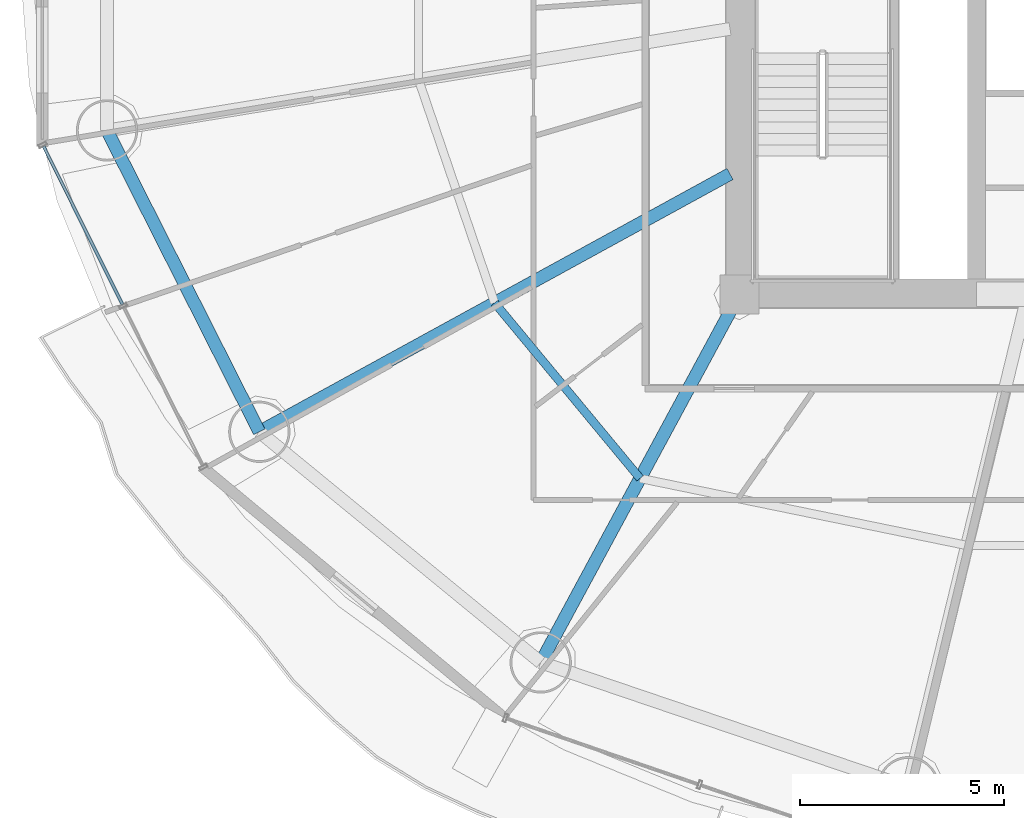
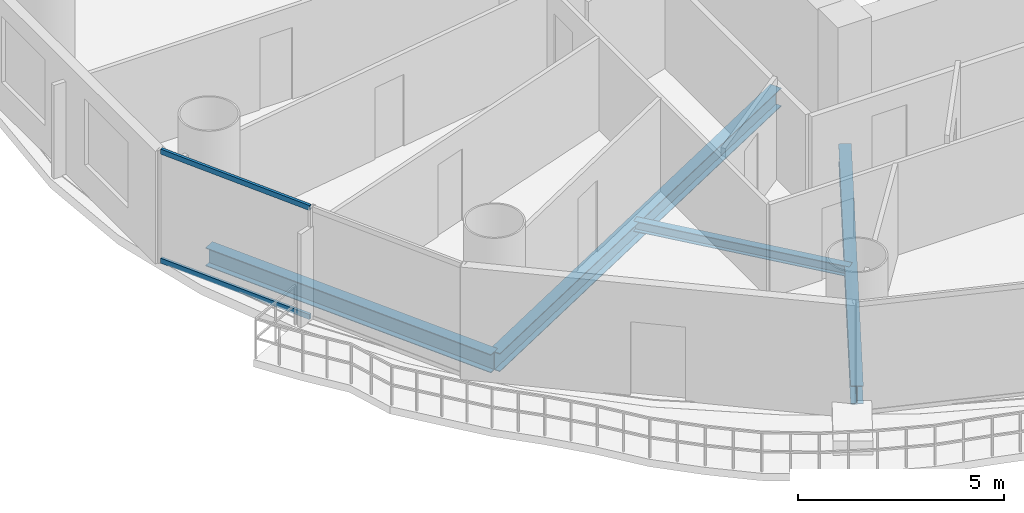
# One storey, part 3 of 29: 4 beams, 2 members, 1 element without a shape of its own.
"""IFC4 building model written with IfcOpenShell, lengths in metres."""

from ifc_helpers import new_model, si_unit, direction, frame, origin, origin_2d, place, context, subcontext, project, spatial, hollow_rectangle, i_section, extrude, source, transform, mapped, material, material_profile, profile_set, type_object, element, aggregate, save


model = new_model("IFC4")

# Units and contexts
model_context = context("Model", 3, precision=1e-05, world=origin(), true_north=direction((-0.2419218956, 0.970295726276)))
body_context = subcontext(model_context, "Body", "Model", "MODEL_VIEW")
ifc_project = project(units=[si_unit("LENGTHUNIT", "METRE"), si_unit("AREAUNIT", "SQUARE_METRE"), si_unit("VOLUMEUNIT", "CUBIC_METRE"), si_unit("PLANEANGLEUNIT", "RADIAN"), si_unit("MASSUNIT", "GRAM", prefix="KILO")], contexts=[model_context])

# Site, building, storey
site_placement = place(None, origin())
site = spatial("IfcSite", under=ifc_project, at=site_placement, CompositionType="ELEMENT")
building_placement = place(site_placement, origin())
building = spatial("IfcBuilding", under=site, at=building_placement, Name="Cobrevalo Terracotta Tower", CompositionType="ELEMENT")
storey_placement = place(building_placement, frame((0.0, 0.0, 90.60009765625)))
storey = spatial("IfcBuildingStorey", under=building, at=storey_placement, Name="L23", CompositionType="ELEMENT", Elevation=90.60009765625)

# Beams
ifc_material_1 = material(Name="Steel S355", Category="steel")
ifc_material_profile_1 = material_profile(ifc_material_1, i_section(OverallWidth=0.31201171875, OverallDepth=0.54296875, WebThickness=0.0126953125, FlangeThickness=0.020263671875, at=origin_2d()), Name="W 530x150")
ifc_profile_set_1 = profile_set([ifc_material_profile_1], Name="Steel S355")
beam_type_1 = type_object("IfcBeamType", Name="Structural Beam W 530x150 (Steel S355)", PredefinedType="BEAM", material=ifc_profile_set_1)
beam_1_placement = place(storey_placement, frame((17.2548828125, 15.4384765625, -0.546630859375), z_axis=(0.877072765004, 0.480357538599, 0.0), x_axis=(-0.480357538599, 0.877072765004, 0.0)))
element("IfcBeam", 1, at=beam_1_placement, inside=storey, type_object=beam_type_1, Name="L23 radial floor girder 10", PredefinedType="BEAM", context=body_context, shape_type="SweptSolid", body=[
    extrude(i_section(OverallWidth=0.31201171875, OverallDepth=0.54296875, WebThickness=0.0126953125, FlangeThickness=0.020263671875, at=origin_2d()), origin(), (0.0, 0.0, 1.0), 13.129150390625),
])
beam_2_placement = place(storey_placement, frame((24.138427734375, 9.79638671875, -0.546630859375), z_axis=(0.475118249298, 0.879921956303, 0.0), x_axis=(-0.879921956303, 0.475118249298, 0.0)))
element("IfcBeam", 2, at=beam_2_placement, inside=storey, type_object=beam_type_1, Name="L23 radial floor girder 11", PredefinedType="BEAM", context=body_context, shape_type="SweptSolid", body=[
    extrude(i_section(OverallWidth=0.31201171875, OverallDepth=0.54296875, WebThickness=0.0126953125, FlangeThickness=0.020263671875, at=origin_2d()), origin(), (0.0, 0.0, 1.0), 10.232421875),
])
ifc_material_profile_2 = material_profile(ifc_material_1, i_section(OverallWidth=0.2041015625, OverallDepth=0.305908203125, WebThickness=0.008544921875, FlangeThickness=0.0146484375, at=origin_2d()), Name="W 310x67")
ifc_profile_set_2 = profile_set([ifc_material_profile_2], Name="Steel S355")
beam_type_2 = type_object("IfcBeamType", Name="Structural Joist W 310x67 (Steel S355)", PredefinedType="JOIST", material=ifc_profile_set_2)
beam_3_placement = place(storey_placement, frame((23.012451171875, 18.591796875, -0.427978515625), z_axis=(0.6379592588, -0.77007011636, 0.0), x_axis=(0.77007011636, 0.6379592588, 0.0)))
element("IfcBeam", 3, at=beam_3_placement, inside=storey, type_object=beam_type_2, Name="L23 circumferential secondary floor joist 10", PredefinedType="JOIST", context=body_context, shape_type="SweptSolid", body=[
    extrude(i_section(OverallWidth=0.2041015625, OverallDepth=0.305908203125, WebThickness=0.008544921875, FlangeThickness=0.0146484375, at=origin_2d()), origin(), (0.0, 0.0, 1.0), 5.575439453125),
])
ifc_material_profile_3 = material_profile(ifc_material_1, i_section(OverallWidth=0.31201171875, OverallDepth=0.54296875, WebThickness=0.0126953125, FlangeThickness=0.020263671875, at=origin_2d()), Name="W 530x150")
ifc_profile_set_3 = profile_set([ifc_material_profile_3], Name="Steel S355")
beam_type_3 = type_object("IfcBeamType", Name="Structural Spandrel W 530x150 (Steel S355)", PredefinedType="SPANDREL", material=ifc_profile_set_3)
beam_4_placement = place(storey_placement, frame((13.529296875, 22.810302734375, -0.546630859375), z_axis=(0.451051982172, -0.892497680321, 0.0), x_axis=(0.892497680321, 0.451051982172, 0.0)))
element("IfcBeam", 4, at=beam_4_placement, inside=storey, type_object=beam_type_3, Name="L23 perimeter ring spandrel 09", PredefinedType="SPANDREL", context=body_context, shape_type="SweptSolid", body=[
    extrude(i_section(OverallWidth=0.31201171875, OverallDepth=0.54296875, WebThickness=0.0126953125, FlangeThickness=0.020263671875, at=origin_2d()), origin(), (0.0, 0.0, 1.0), 8.259765625),
])

# Curtain wall, members
ifc_material_2 = material(Name="Anodized aluminium", Category="aluminium")
curtain_wall_type = type_object("IfcCurtainWallType", Name="Lower-tower unitised acoustic low-E curtain wall CW-U1", PredefinedType="NOTDEFINED", material=ifc_material_2)
curtain_wall_placement = place(storey_placement, origin())
curtain_wall = element("IfcCurtainWall", 5, at=curtain_wall_placement, inside=storey, type_object=curtain_wall_type, Name="L23 curtain wall CW-L23-S09", PredefinedType="NOTDEFINED")
ifc_material_profile_4 = material_profile(ifc_material_2, hollow_rectangle(XDim=0.074951171875, YDim=0.14990234375, WallThickness=0.00439453125, at=origin_2d()), Name="CWT 75x150")
ifc_profile_set_4 = profile_set([ifc_material_profile_4], Name="Anodized aluminium")
member_type = type_object("IfcMemberType", Name="Tower unitised aluminium transom 75x150", PredefinedType="USERDEFINED", material=ifc_profile_set_4)
shared_shape = source(origin(), body_context, "Body", "SweptSolid", [
    extrude(hollow_rectangle(XDim=0.074951171875, YDim=0.14990234375, WallThickness=0.00439453125, at=origin_2d()), origin(), (0.0, 0.0, 1.0), 4.324951171875),
])
member_1_placement = place(storey_placement, frame((11.976318359375, 22.4228515625, 0.0498046875), z_axis=(0.446219838389, -0.894923379864, 0.0), x_axis=(0.894923379864, 0.446219838389, 0.0)))
member_1 = element("IfcMember", 6, at=member_1_placement, type_object=member_type, Name="CW-L23-S09 transom B01-T1", ObjectType="TRANSOM", PredefinedType="USERDEFINED", context=body_context, shape_type="MappedRepresentation", body=[
    mapped(shared_shape, transform((0.0, 0.0, 0.0), scale=1.0)),
])
member_2_placement = place(storey_placement, frame((11.976318359375, 22.4228515625, 3.27490234375), z_axis=(0.446219838389, -0.894923379864, 0.0), x_axis=(0.894923379864, 0.446219838389, 0.0)))
member_2 = element("IfcMember", 7, at=member_2_placement, type_object=member_type, Name="CW-L23-S09 transom B01-T2", ObjectType="TRANSOM", PredefinedType="USERDEFINED", context=body_context, shape_type="MappedRepresentation", body=[
    mapped(shared_shape, transform((0.0, 0.0, 0.0), scale=1.0)),
])
aggregate(curtain_wall, [member_1, member_2])

save(model, "model.ifc")
